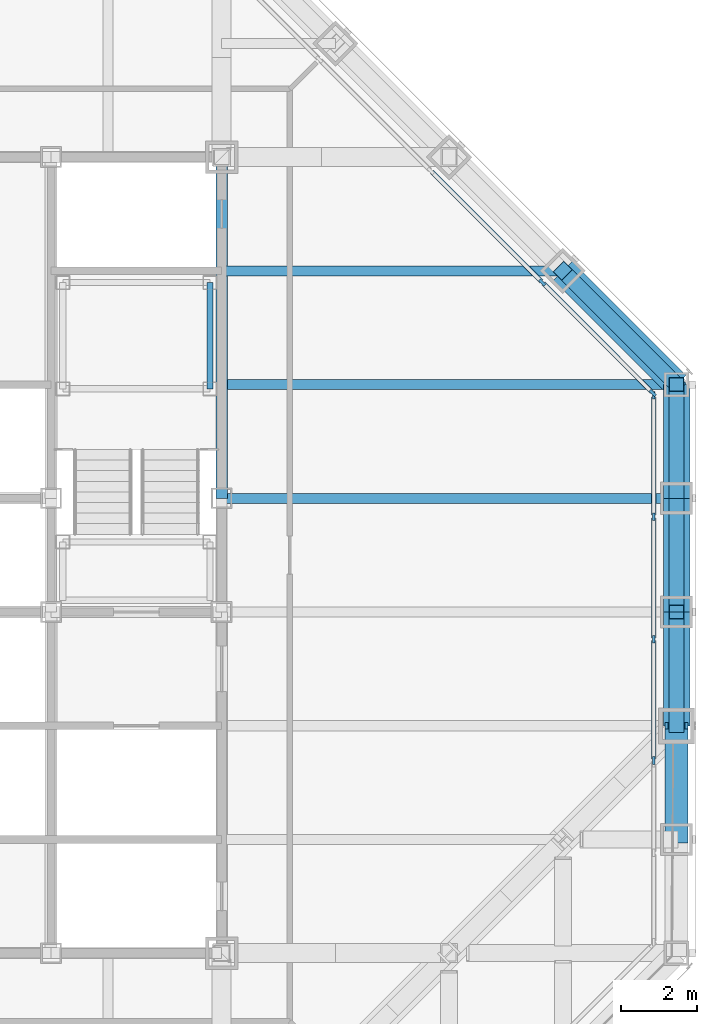
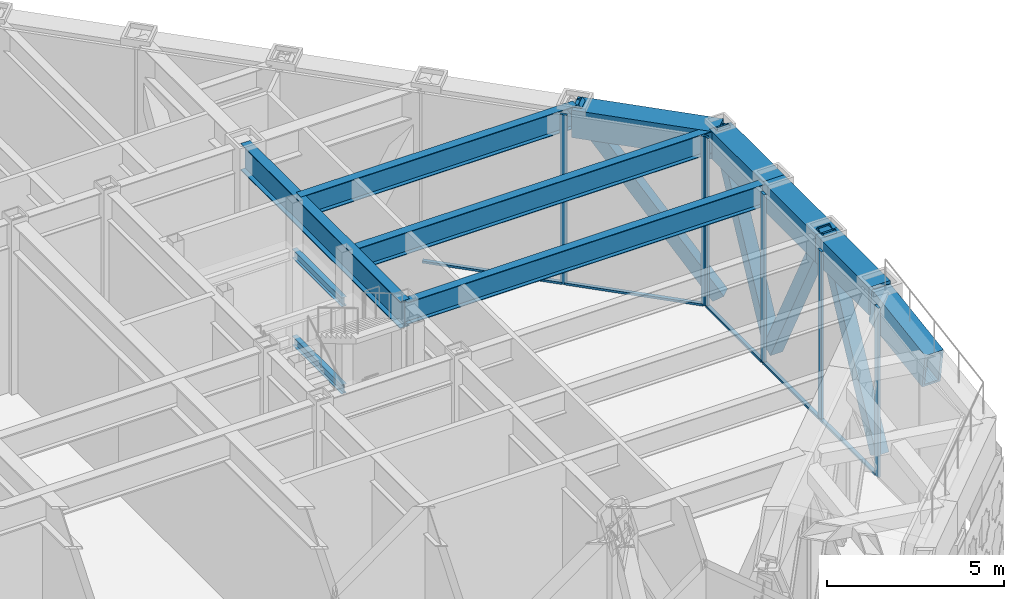
# One storey, part 8 of 29: 15 members, 11 beams, 2 elements without a shape of their own.
"""IFC4 building model written with IfcOpenShell, lengths in metres."""

from ifc_helpers import new_model, si_unit, direction, frame, origin, origin_2d, place, context, subcontext, project, spatial, rectangle, hollow_rectangle, i_section, extrude, material, layer, layer_set, material_profile, profile_set, type_object, element, aggregate, save


model = new_model("IFC4")

# Units and contexts
model_context = context("Model", 3, precision=1e-05, world=origin(), true_north=direction((0.0, 1.0)))
body_context = subcontext(model_context, "Body", "Model", "MODEL_VIEW")
ifc_project = project(units=[si_unit("LENGTHUNIT", "METRE"), si_unit("AREAUNIT", "SQUARE_METRE"), si_unit("VOLUMEUNIT", "CUBIC_METRE"), si_unit("PLANEANGLEUNIT", "RADIAN"), si_unit("MASSUNIT", "GRAM", prefix="KILO")], contexts=[model_context])

# Site, building, storey
site_placement = place(None, origin())
site = spatial("IfcSite", under=ifc_project, at=site_placement, CompositionType="ELEMENT")
building_placement = place(site_placement, origin())
building = spatial("IfcBuilding", under=site, at=building_placement, Name="Chuquiago Exchange Tower", CompositionType="ELEMENT")
storey_placement = place(building_placement, frame((0.0, 0.0, 251.699951171875)))
storey = spatial("IfcBuildingStorey", under=building, at=storey_placement, Name="L56", CompositionType="ELEMENT", Elevation=251.699951171875)

# Beams
ifc_material_1 = material(Name="Steel ASTM A992", Category="steel")
ifc_material_profile_1 = material_profile(ifc_material_1, i_section(OverallWidth=0.307373046875, OverallDepth=0.927001953125, WebThickness=0.01953125, FlangeThickness=0.031982421875, at=origin_2d()), Name="W36X194")
ifc_profile_set_1 = profile_set([ifc_material_profile_1], Name="Steel ASTM A992")
beam_type_1 = type_object("IfcBeamType", Name="B10 W36X194", PredefinedType="BEAM", material=ifc_profile_set_1)
beam_1_placement = place(storey_placement, frame((33.0, 24.0, 5.37646484375), z_axis=(0.0, 1.0, 0.0), x_axis=(-1.0, 0.0, 0.0)))
element("IfcBeam", 1, at=beam_1_placement, inside=storey, type_object=beam_type_1, Name="CB-L57-33_24-33_33", PredefinedType="BEAM", context=body_context, shape_type="SweptSolid", body=[
    extrude(i_section(OverallWidth=0.307373046875, OverallDepth=0.927001953125, WebThickness=0.01953125, FlangeThickness=0.031982421875, at=origin_2d()), origin(), (0.0, 0.0, 1.0), 9.0),
])
ifc_material_2 = material(Name="Steel ASTM A992", Category="steel")
ifc_material_profile_2 = material_profile(ifc_material_2, i_section(OverallWidth=0.2666015625, OverallDepth=0.761962890625, WebThickness=0.014404296875, FlangeThickness=0.021484375, at=origin_2d()), Name="W30X116")
ifc_profile_set_2 = profile_set([ifc_material_profile_2], Name="Steel ASTM A992")
beam_type_2 = type_object("IfcBeamType", Name="B8 W30X116", PredefinedType="BEAM", material=ifc_profile_set_2)
for number, where, z_axis, x_axis, name in (
    (2, (33.0, 24.0, 5.458984375), (1.0, 0.0, 0.0), (0.0, 1.0, 0.0), "FB-L57-infill-33_24-45_24-0"),
    (3, (33.0, 27.0, 5.458984375), (1.0, 0.0, 0.0), (0.0, 1.0, 0.0), "FB-L57-infill-33_27-45_27-0"),
):
    element("IfcBeam", number, at=place(storey_placement, frame(where, z_axis=z_axis, x_axis=x_axis)), inside=storey, type_object=beam_type_2, Name=name, PredefinedType="BEAM", context=body_context, shape_type="SweptSolid", body=[
        extrude(i_section(OverallWidth=0.2666015625, OverallDepth=0.761962890625, WebThickness=0.014404296875, FlangeThickness=0.021484375, at=origin_2d()), origin(), (0.0, 0.0, 1.0), 12.0),
    ])
beam_2_placement = place(storey_placement, frame((33.0, 30.0, 5.458984375), z_axis=(1.0, 0.0, 0.0), x_axis=(0.0, 1.0, 0.0)))
element("IfcBeam", 4, at=beam_2_placement, inside=storey, type_object=beam_type_2, Name="FB-L57-infill-33_30-42_30-0", PredefinedType="BEAM", context=body_context, shape_type="SweptSolid", body=[
    extrude(i_section(OverallWidth=0.2666015625, OverallDepth=0.761962890625, WebThickness=0.014404296875, FlangeThickness=0.021484375, at=origin_2d()), origin(), (0.0, 0.0, 1.0), 9.0),
])

# Members
ifc_material_3 = material(Name="Steel ASTM A500 Grade C", Category="steel")
ifc_material_profile_3 = material_profile(ifc_material_3, hollow_rectangle(XDim=0.406494140625, YDim=0.406494140625, WallThickness=0.0146484375, at=origin_2d()), Name="HSS16X16X5/8")
ifc_profile_set_3 = profile_set([ifc_material_profile_3], Name="Steel ASTM A500 Grade C")
member_type_1 = type_object("IfcMemberType", Name="BT1 HSS16X16X5/8", PredefinedType="BRACE", material=ifc_profile_set_3)
for number, where, z_axis, x_axis, name in (
    (5, (45.0, 18.0, 0.0), (0.0, 0.456929540486, 0.889502892087), (-1.0, 0.0, 0.0), "Belt truss L56 diagonal"),
    (6, (45.0, 24.0, 0.0), (0.0, -0.456929540486, 0.889502892087), (1.0, 0.0, 0.0), "Belt truss L56 diagonal"),
    (7, (45.0, 24.0, 0.0), (0.0, 0.456929540486, 0.889502892087), (-1.0, 0.0, 0.0), "Belt truss L56 diagonal"),
):
    element("IfcMember", number, at=place(storey_placement, frame(where, z_axis=z_axis, x_axis=x_axis)), inside=storey, type_object=member_type_1, Name=name, PredefinedType="BRACE", context=body_context, shape_type="SweptSolid", body=[
        extrude(hollow_rectangle(XDim=0.406494140625, YDim=0.406494140625, WallThickness=0.0146484375, at=origin_2d()), origin(), (0.0, 0.0, 1.0), 6.565673828125),
    ])
member_1_placement = place(storey_placement, frame((45.0, 27.0, 0.0), z_axis=(-0.415599269943, 0.415599269943, 0.80904542125), x_axis=(-0.707106781187, -0.707106781187, 0.0)))
element("IfcMember", 8, at=member_1_placement, inside=storey, type_object=member_type_1, Name="Belt truss L56 diagonal", PredefinedType="BRACE", context=body_context, shape_type="SweptSolid", body=[
    extrude(hollow_rectangle(XDim=0.406494140625, YDim=0.406494140625, WallThickness=0.0146484375, at=origin_2d()), origin(), (0.0, 0.0, 1.0), 7.218505859375),
])

# Curtain wall, members
ifc_material_4 = material(Name="Aluminium curtain wall system", Category="aluminium")
ifc_layer = layer(ifc_material_4, 0.199951171875)
ifc_layer_set = layer_set([ifc_layer], Name="CW6 plant floor louvre wall")
curtain_wall_type = type_object("IfcCurtainWallType", Name="CW6 plant floor louvre wall", PredefinedType="NOTDEFINED", material=ifc_layer_set)
curtain_wall_1_placement = place(storey_placement, origin())
curtain_wall_1 = element("IfcCurtainWall", 9, at=curtain_wall_1_placement, inside=storey, type_object=curtain_wall_type, Name="CW6 curtain wall L56", PredefinedType="NOTDEFINED")
ifc_material_5 = material(Name="Aluminium mullion, pale anodised", Category="aluminium")
ifc_material_profile_4 = material_profile(ifc_material_5, rectangle(XDim=0.074951171875, YDim=0.199951171875, at=origin_2d()), Name="AL 75x200")
ifc_profile_set_4 = profile_set([ifc_material_profile_4], Name="Aluminium mullion, pale anodised")
member_type_2 = type_object("IfcMemberType", Name="CW6-M mullion 75x200", PredefinedType="MULLION", material=ifc_profile_set_4)
member_2_placement = place(storey_placement, frame((44.39990234375, 17.083984375, 0.0), z_axis=(0.0, 0.0, 1.0), x_axis=(-1.0, 0.0, 0.0)))
member_2 = element("IfcMember", 10, at=member_2_placement, type_object=member_type_2, Name="CW6 mullion 1", PredefinedType="MULLION", context=body_context, shape_type="SweptSolid", body=[
    extrude(rectangle(XDim=0.074951171875, YDim=0.199951171875, at=origin_2d()), origin(), (0.0, 0.0, 1.0), 5.840087890625),
])
member_3_placement = place(storey_placement, frame((44.39990234375, 20.281494140625, 0.0), z_axis=(0.0, 0.0, 1.0), x_axis=(-1.0, 0.0, 0.0)))
member_3 = element("IfcMember", 11, at=member_3_placement, type_object=member_type_2, Name="CW6 mullion 2", PredefinedType="MULLION", context=body_context, shape_type="SweptSolid", body=[
    extrude(rectangle(XDim=0.074951171875, YDim=0.199951171875, at=origin_2d()), origin(), (0.0, 0.0, 1.0), 5.840087890625),
])
member_4_placement = place(storey_placement, frame((44.39990234375, 23.516357421875, 0.0), z_axis=(0.0, 0.0, 1.0), x_axis=(-1.0, 0.0, 0.0)))
member_4 = element("IfcMember", 12, at=member_4_placement, type_object=member_type_2, Name="CW6 mullion 3", PredefinedType="MULLION", context=body_context, shape_type="SweptSolid", body=[
    extrude(rectangle(XDim=0.074951171875, YDim=0.199951171875, at=origin_2d()), origin(), (0.0, 0.0, 1.0), 5.840087890625),
])
member_5_placement = place(storey_placement, frame((44.39990234375, 26.714111328125, 0.0), z_axis=(0.0, 0.0, 1.0), x_axis=(-1.0, 0.0, 0.0)))
member_5 = element("IfcMember", 13, at=member_5_placement, type_object=member_type_2, Name="CW6 mullion 4", PredefinedType="MULLION", context=body_context, shape_type="SweptSolid", body=[
    extrude(rectangle(XDim=0.074951171875, YDim=0.199951171875, at=origin_2d()), origin(), (0.0, 0.0, 1.0), 5.840087890625),
])

curtain_wall_2_placement = place(storey_placement, origin())
curtain_wall_2 = element("IfcCurtainWall", 14, at=curtain_wall_2_placement, inside=storey, type_object=curtain_wall_type, Name="CW6 curtain wall L56", PredefinedType="NOTDEFINED")
member_6_placement = place(storey_placement, frame((44.37353515625, 26.778076171875, 0.0), z_axis=(0.0, 0.0, 1.0), x_axis=(-0.707106781187, -0.707106781187, 0.0)))
member_6 = element("IfcMember", 15, at=member_6_placement, type_object=member_type_2, Name="CW6 mullion 1", PredefinedType="MULLION", context=body_context, shape_type="SweptSolid", body=[
    extrude(rectangle(XDim=0.074951171875, YDim=0.199951171875, at=origin_2d()), origin(), (0.0, 0.0, 1.0), 5.840087890625),
])
member_7_placement = place(storey_placement, frame((41.45849609375, 29.69287109375, 0.0), z_axis=(0.0, 0.0, 1.0), x_axis=(-0.707106781187, -0.707106781187, 0.0)))
member_7 = element("IfcMember", 16, at=member_7_placement, type_object=member_type_2, Name="CW6 mullion 2", PredefinedType="MULLION", context=body_context, shape_type="SweptSolid", body=[
    extrude(rectangle(XDim=0.074951171875, YDim=0.199951171875, at=origin_2d()), origin(), (0.0, 0.0, 1.0), 5.840087890625),
])

# Member
ifc_material_6 = material(Name="Aluminium transom, pale anodised", Category="aluminium")
ifc_material_profile_5 = material_profile(ifc_material_6, rectangle(XDim=0.1201171875, YDim=0.074951171875, at=origin_2d()), Name="AL 120x75")
ifc_profile_set_5 = profile_set([ifc_material_profile_5], Name="Aluminium transom, pale anodised")
member_type_3 = type_object("IfcMemberType", Name="CW6-T transom 75x120", PredefinedType="MULLION", material=ifc_profile_set_5)
member_8_placement = place(storey_placement, frame((44.39990234375, 17.121337890625, 0.03759765625), z_axis=(0.0, 1.0, 0.0), x_axis=(-1.0, 0.0, 0.0)))
member_8 = element("IfcMember", 17, at=member_8_placement, type_object=member_type_3, Name="CW6 transom 1.1", PredefinedType="MULLION", context=body_context, shape_type="SweptSolid", body=[
    extrude(rectangle(XDim=0.1201171875, YDim=0.074951171875, at=origin_2d()), origin(), (0.0, 0.0, 1.0), 3.12255859375),
])

member_9_placement = place(storey_placement, frame((44.39990234375, 20.31884765625, 0.03759765625), z_axis=(0.0, 1.0, 0.0), x_axis=(-1.0, 0.0, 0.0)))
member_9 = element("IfcMember", 18, at=member_9_placement, type_object=member_type_3, Name="CW6 transom 2.1", PredefinedType="MULLION", context=body_context, shape_type="SweptSolid", body=[
    extrude(rectangle(XDim=0.1201171875, YDim=0.074951171875, at=origin_2d()), origin(), (0.0, 0.0, 1.0), 3.16015625),
])

member_10_placement = place(storey_placement, frame((44.39990234375, 23.553955078125, 0.03759765625), z_axis=(0.0, 1.0, 0.0), x_axis=(-1.0, 0.0, 0.0)))
member_10 = element("IfcMember", 19, at=member_10_placement, type_object=member_type_3, Name="CW6 transom 3.1", PredefinedType="MULLION", context=body_context, shape_type="SweptSolid", body=[
    extrude(rectangle(XDim=0.1201171875, YDim=0.074951171875, at=origin_2d()), origin(), (0.0, 0.0, 1.0), 3.12255859375),
])

aggregate(curtain_wall_1, [member_2, member_3, member_4, member_5, member_8, member_9, member_10])

member_11_placement = place(storey_placement, frame((44.346923828125, 26.804443359375, 0.03759765625), z_axis=(-0.707076620305, 0.707136940781, 0.0), x_axis=(-0.707136940781, -0.707076620305, 0.0)))
member_11 = element("IfcMember", 20, at=member_11_placement, type_object=member_type_3, Name="CW6 transom 1.1", PredefinedType="MULLION", context=body_context, shape_type="SweptSolid", body=[
    extrude(rectangle(XDim=0.1201171875, YDim=0.074951171875, at=origin_2d()), origin(), (0.0, 0.0, 1.0), 4.04736328125),
])

member_12_placement = place(storey_placement, frame((41.43212890625, 29.719482421875, 0.03759765625), z_axis=(-0.707106781187, 0.707106781187, 0.0), x_axis=(-0.707106781187, -0.707106781187, 0.0)))
member_12 = element("IfcMember", 21, at=member_12_placement, type_object=member_type_3, Name="CW6 transom 2.1", PredefinedType="MULLION", context=body_context, shape_type="SweptSolid", body=[
    extrude(rectangle(XDim=0.1201171875, YDim=0.074951171875, at=origin_2d()), origin(), (0.0, 0.0, 1.0), 4.0849609375),
])

aggregate(curtain_wall_2, [member_6, member_7, member_11, member_12])

# Beams
ifc_material_7 = material(Name="Steel ASTM A572 Grade 50", Category="steel")
ifc_material_profile_6 = material_profile(ifc_material_7, hollow_rectangle(XDim=0.60009765625, YDim=1.199951171875, WallThickness=0.074951171875, at=origin_2d()), Name="BOX1200X600X75")
ifc_profile_set_6 = profile_set([ifc_material_profile_6], Name="Steel ASTM A572 Grade 50")
beam_type_3 = type_object("IfcBeamType", Name="EB3 BOX1200X600X75", PredefinedType="BEAM", material=ifc_profile_set_6)
beam_3_placement = place(storey_placement, frame((45.0, 15.0, 4.749267578125), z_axis=(0.0, 0.988903271683, 0.148560826784), x_axis=(-1.0, 0.0, 0.0)))
element("IfcBeam", 22, at=beam_3_placement, inside=storey, type_object=beam_type_3, Name="Facet roof edge beam L56", PredefinedType="BEAM", context=body_context, shape_type="SweptSolid", body=[
    extrude(hollow_rectangle(XDim=0.60009765625, YDim=1.199951171875, WallThickness=0.074951171875, at=origin_2d()), origin(), (0.0, 0.0, 1.0), 3.03369140625),
])
ifc_material_8 = material(Name="Steel ASTM A992", Category="steel")
ifc_material_profile_7 = material_profile(ifc_material_8, i_section(OverallWidth=0.164794921875, OverallDepth=0.309814453125, WebThickness=0.005859375, FlangeThickness=0.009765625, at=origin_2d()), Name="W12X26")
ifc_profile_set_7 = profile_set([ifc_material_profile_7], Name="Steel ASTM A992")
beam_type_4 = type_object("IfcBeamType", Name="LS1 W12X26", PredefinedType="BEAM", material=ifc_profile_set_7)
for number, where, z_axis, x_axis, name in (
    (23, (32.68994140625, 26.889892578125, 1.145263671875), (0.0, 1.0, 0.0), (-1.0, 0.0, 0.0), "Stair ST2 L56 landing 1 stringer"),
    (24, (32.68994140625, 26.889892578125, 4.145263671875), (0.0, 1.0, 0.0), (-1.0, 0.0, 0.0), "Stair ST2 L56 landing 3 stringer"),
):
    element("IfcBeam", number, at=place(storey_placement, frame(where, z_axis=z_axis, x_axis=x_axis)), inside=storey, type_object=beam_type_4, Name=name, PredefinedType="BEAM", context=body_context, shape_type="SweptSolid", body=[
        extrude(i_section(OverallWidth=0.164794921875, OverallDepth=0.309814453125, WebThickness=0.005859375, FlangeThickness=0.009765625, at=origin_2d()), origin(), (0.0, 0.0, 1.0), 2.800048828125),
    ])
ifc_material_9 = material(Name="Steel ASTM A572 Grade 50", Category="steel")
ifc_material_profile_8 = material_profile(ifc_material_9, hollow_rectangle(XDim=0.699951171875, YDim=0.949951171875, WallThickness=0.10009765625, at=origin_2d()), Name="BOX950X700X100")
ifc_profile_set_8 = profile_set([ifc_material_profile_8], Name="Steel ASTM A572 Grade 50")
beam_type_5 = type_object("IfcBeamType", Name="SP5 BOX950X700X100", PredefinedType="SPANDREL", material=ifc_profile_set_8)
for number, where, z_axis, x_axis, name in (
    (25, (45.0, 18.0, 5.364990234375), (0.0, 1.0, 0.0), (-1.0, 0.0, 0.0), "SPB-L57-45_18-45_21"),
    (26, (45.0, 21.0, 5.364990234375), (0.0, 1.0, 0.0), (-1.0, 0.0, 0.0), "SPB-L57-45_21-45_24"),
    (27, (45.0, 24.0, 5.364990234375), (0.0, 1.0, 0.0), (-1.0, 0.0, 0.0), "SPB-L57-45_24-45_27"),
):
    element("IfcBeam", number, at=place(storey_placement, frame(where, z_axis=z_axis, x_axis=x_axis)), inside=storey, type_object=beam_type_5, Name=name, PredefinedType="SPANDREL", context=body_context, shape_type="SweptSolid", body=[
        extrude(hollow_rectangle(XDim=0.699951171875, YDim=0.949951171875, WallThickness=0.10009765625, at=origin_2d()), origin(), (0.0, 0.0, 1.0), 3.0),
    ])
beam_4_placement = place(storey_placement, frame((45.0, 27.0, 5.364990234375), z_axis=(-0.707106781187, 0.707106781187, 0.0), x_axis=(-0.707106781187, -0.707106781187, 0.0)))
element("IfcBeam", 28, at=beam_4_placement, inside=storey, type_object=beam_type_5, Name="SPB-L57-45_27-42_30", PredefinedType="SPANDREL", context=body_context, shape_type="SweptSolid", body=[
    extrude(hollow_rectangle(XDim=0.699951171875, YDim=0.949951171875, WallThickness=0.10009765625, at=origin_2d()), origin(), (0.0, 0.0, 1.0), 4.24267578125),
])

save(model, "model.ifc")
